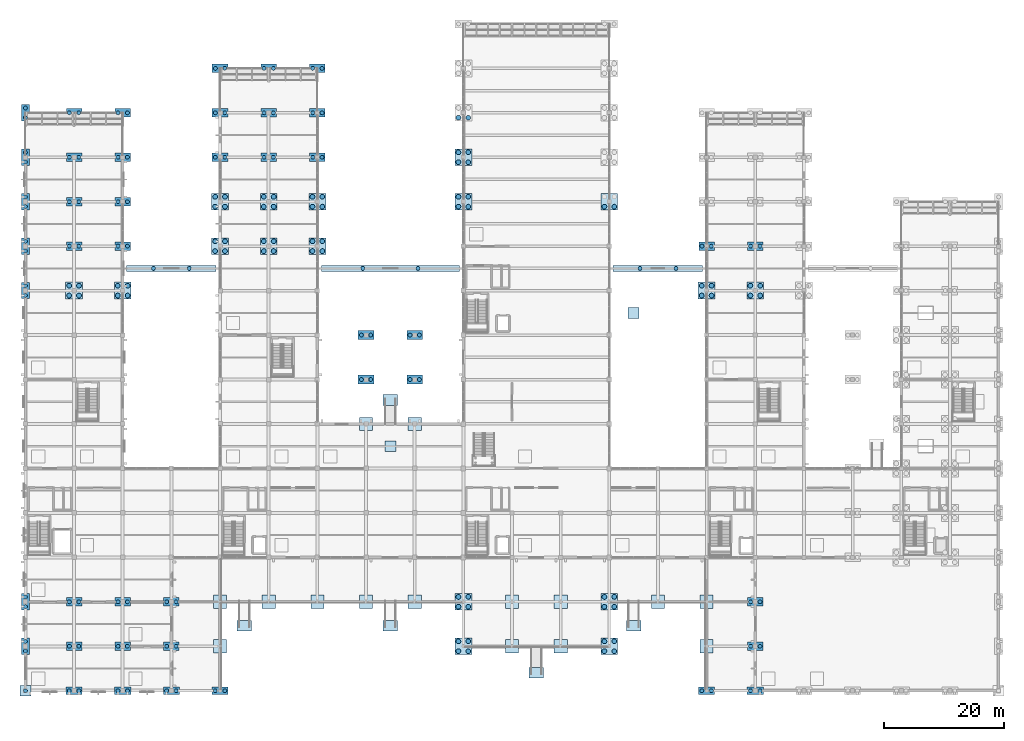
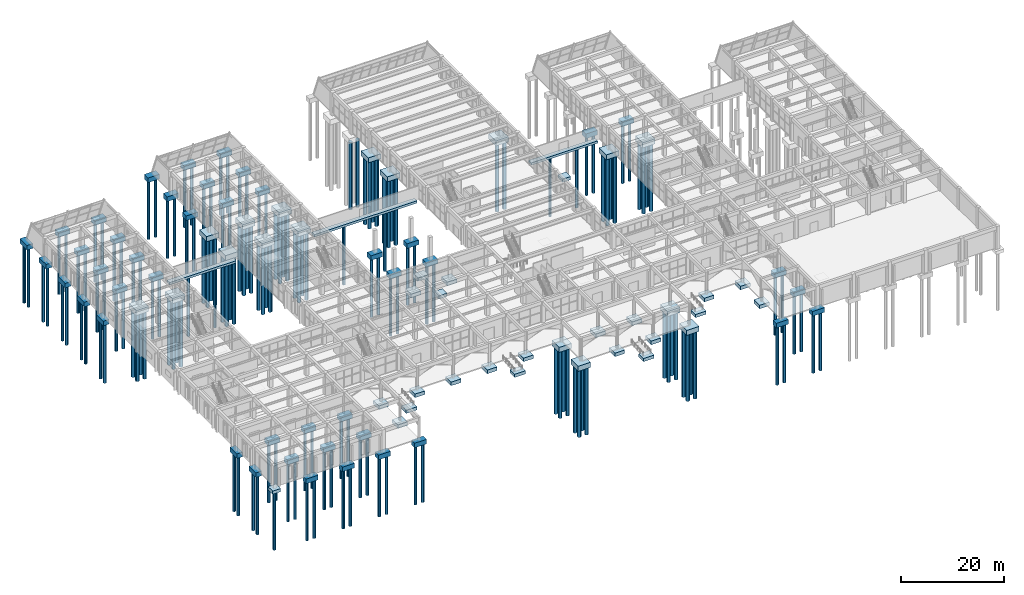
# One storey, part 1 of 140: 163 piles, 87 footings.
"""IFC4 building model written with IfcOpenShell, lengths in metres."""

from ifc_helpers import new_model, si_unit, direction, frame, origin, origin_2d, place, context, subcontext, project, spatial, rectangle, circle, extrude, material, type_object, element, save


model = new_model("IFC4")

# Units and contexts
model_context = context("Model", 3, precision=1e-05, world=origin(), true_north=direction((0.0, 1.0)))
body_context = subcontext(model_context, "Body", "Model", "MODEL_VIEW")
ifc_project = project(units=[si_unit("LENGTHUNIT", "METRE"), si_unit("AREAUNIT", "SQUARE_METRE"), si_unit("VOLUMEUNIT", "CUBIC_METRE"), si_unit("PLANEANGLEUNIT", "RADIAN"), si_unit("MASSUNIT", "GRAM", prefix="KILO")], contexts=[model_context])

# Site, building, storey
site_placement = place(None, origin())
site = spatial("IfcSite", under=ifc_project, at=site_placement, CompositionType="ELEMENT")
building_placement = place(site_placement, origin())
building = spatial("IfcBuilding", under=site, at=building_placement, Name="Cimatlan Art Gallery", CompositionType="ELEMENT")
storey_placement = place(building_placement, origin())
storey = spatial("IfcBuildingStorey", under=building, at=storey_placement, Name="L00", CompositionType="ELEMENT", Elevation=0.0)

# Footings
ifc_material = material(Name="Concrete C40/50", Category="concrete")
footing_type_1 = type_object("IfcFootingType", Name="FTG-PAD-1800", PredefinedType="PAD_FOOTING", material=ifc_material)
for number, where, z_axis, x_axis, name in (
    (1, (2.0, 1.699951171875, -1.030029296875), (0.0, 0.0, 1.0), (1.0, 0.0, 0.0), "FTG-CAP-00-00"),
    (2, (62.75, 42.39990234375, -0.75), (0.0, 0.0, 1.0), (1.0, 0.0, 0.0), "FTG-SCULPT-PAD-01"),
    (3, (103.25, 64.60009765625, -0.75), (0.0, 0.0, 1.0), (1.0, 0.0, 0.0), "FTG-SCULPT-PAD-02"),
):
    element("IfcFooting", number, at=place(storey_placement, frame(where, z_axis=z_axis, x_axis=x_axis)), inside=storey, type_object=footing_type_1, Name=name, PredefinedType="PAD_FOOTING", context=body_context, shape_type="SweptSolid", body=[
        extrude(rectangle(XDim=1.800048828125, YDim=1.800048828125, at=origin_2d()), origin(), (0.0, 0.0, 1.0), 0.75),
    ])
footing_type_2 = type_object("IfcFootingType", Name="FTG-PAD-2200", PredefinedType="PAD_FOOTING", material=ifc_material)
for number, where, z_axis, x_axis, name in (
    (4, (34.39990234375, 9.10009765625, -1.130126953125), (0.0, 0.0, 1.0), (1.0, 0.0, 0.0), "FTG-CAP-04-01"),
    (5, (34.39990234375, 16.5, -1.130126953125), (0.0, 0.0, 1.0), (1.0, 0.0, 0.0), "FTG-CAP-04-02"),
    (6, (42.5, 16.5, -1.130126953125), (0.0, 0.0, 1.0), (1.0, 0.0, 0.0), "FTG-CAP-05-02"),
    (7, (50.60009765625, 16.5, -1.130126953125), (0.0, 0.0, 1.0), (1.0, 0.0, 0.0), "FTG-CAP-06-02"),
    (8, (58.699951171875, 16.5, -1.130126953125), (0.0, 0.0, 1.0), (1.0, 0.0, 0.0), "FTG-CAP-07-02"),
    (9, (58.699951171875, 46.10009765625, -1.130126953125), (0.0, 0.0, 1.0), (1.0, 0.0, 0.0), "FTG-CAP-07-06"),
    (10, (66.800048828125, 16.5, -1.130126953125), (0.0, 0.0, 1.0), (1.0, 0.0, 0.0), "FTG-CAP-08-02"),
    (11, (66.800048828125, 46.10009765625, -1.130126953125), (0.0, 0.0, 1.0), (1.0, 0.0, 0.0), "FTG-CAP-08-06"),
    (12, (83.0, 9.10009765625, -1.130126953125), (0.0, 0.0, 1.0), (1.0, 0.0, 0.0), "FTG-CAP-10-01"),
    (13, (83.0, 16.5, -1.130126953125), (0.0, 0.0, 1.0), (1.0, 0.0, 0.0), "FTG-CAP-10-02"),
    (14, (91.10009765625, 9.10009765625, -1.130126953125), (0.0, 0.0, 1.0), (1.0, 0.0, 0.0), "FTG-CAP-11-01"),
    (15, (91.10009765625, 16.5, -1.130126953125), (0.0, 0.0, 1.0), (1.0, 0.0, 0.0), "FTG-CAP-11-02"),
    (16, (107.300048828125, 16.5, -1.130126953125), (0.0, 0.0, 1.0), (1.0, 0.0, 0.0), "FTG-CAP-13-02"),
    (17, (115.39990234375, 9.10009765625, -1.130126953125), (0.0, 0.0, 1.0), (1.0, 0.0, 0.0), "FTG-CAP-14-01"),
    (18, (115.39990234375, 16.5, -1.130126953125), (0.0, 0.0, 1.0), (1.0, 0.0, 0.0), "FTG-CAP-14-02"),
):
    element("IfcFooting", number, at=place(storey_placement, frame(where, z_axis=z_axis, x_axis=x_axis)), inside=storey, type_object=footing_type_2, Name=name, PredefinedType="PAD_FOOTING", context=body_context, shape_type="SweptSolid", body=[
        extrude(rectangle(XDim=2.199951171875, YDim=2.199951171875, at=origin_2d()), origin(), (0.0, 0.0, 1.0), 0.85009765625),
    ])
footing_type_3 = type_object("IfcFootingType", Name="FTG-PAD-2400X1800", PredefinedType="PAD_FOOTING", material=ifc_material)
for number, where, z_axis, x_axis, name in (
    (19, (38.449951171875, 12.52001953125, -1.110107421875), (0.0, 0.0, 1.0), (1.0, 0.0, 0.0), "FTG-RMP-01-BOT"),
    (20, (62.75, 12.52001953125, -1.110107421875), (0.0, 0.0, 1.0), (1.0, 0.0, 0.0), "FTG-RMP-02-BOT"),
    (21, (87.050048828125, 4.679931640625, -1.110107421875), (0.0, 0.0, 1.0), (1.0, 0.0, 0.0), "FTG-RMP-03-BOT"),
    (22, (103.25, 12.52001953125, -1.110107421875), (0.0, 0.0, 1.0), (1.0, 0.0, 0.0), "FTG-RMP-04-BOT"),
    (23, (62.75, 50.080078125, -1.110107421875), (0.0, 0.0, 1.0), (1.0, 0.0, 0.0), "FTG-RMP-05-BOT"),
):
    element("IfcFooting", number, at=place(storey_placement, frame(where, z_axis=z_axis, x_axis=x_axis)), inside=storey, type_object=footing_type_3, Name=name, PredefinedType="PAD_FOOTING", context=body_context, shape_type="SweptSolid", body=[
        extrude(rectangle(XDim=2.39990234375, YDim=1.800048828125, at=origin_2d()), origin(), (0.0, 0.0, 1.0), 0.75),
    ])
footing_type_4 = type_object("IfcFootingType", Name="FTG-PC2-2600X1450", PredefinedType="PILE_CAP", material=ifc_material)
for number, where, z_axis, x_axis, name in (
    (24, (10.10009765625, 9.10009765625, -1.380126953125), (0.0, 0.0, 1.0), (1.0, 0.0, 0.0), "FTG-CAP-01-01"),
    (25, (10.10009765625, 16.5, -1.380126953125), (0.0, 0.0, 1.0), (1.0, 0.0, 0.0), "FTG-CAP-01-02"),
    (26, (10.10009765625, 75.699951171875, -1.380126953125), (0.0, 0.0, 1.0), (1.0, 0.0, 0.0), "FTG-CAP-01-10"),
    (27, (10.10009765625, 83.10009765625, -1.380126953125), (0.0, 0.0, 1.0), (1.0, 0.0, 0.0), "FTG-CAP-01-11"),
    (28, (10.10009765625, 90.5, -1.380126953125), (0.0, 0.0, 1.0), (1.0, 0.0, 0.0), "FTG-CAP-01-12"),
    (29, (10.10009765625, 97.89990234375, -1.380126953125), (0.0, 0.0, 1.0), (1.0, 0.0, 0.0), "FTG-CAP-01-13"),
    (30, (18.199951171875, 9.10009765625, -1.380126953125), (0.0, 0.0, 1.0), (1.0, 0.0, 0.0), "FTG-CAP-02-01"),
    (31, (18.199951171875, 16.5, -1.380126953125), (0.0, 0.0, 1.0), (1.0, 0.0, 0.0), "FTG-CAP-02-02"),
    (32, (18.199951171875, 75.699951171875, -1.380126953125), (0.0, 0.0, 1.0), (1.0, 0.0, 0.0), "FTG-CAP-02-10"),
    (33, (18.199951171875, 83.10009765625, -1.380126953125), (0.0, 0.0, 1.0), (1.0, 0.0, 0.0), "FTG-CAP-02-11"),
    (34, (18.199951171875, 90.5, -1.380126953125), (0.0, 0.0, 1.0), (1.0, 0.0, 0.0), "FTG-CAP-02-12"),
    (35, (18.199951171875, 97.89990234375, -1.380126953125), (0.0, 0.0, 1.0), (1.0, 0.0, 0.0), "FTG-CAP-02-13"),
    (36, (26.300048828125, 9.10009765625, -1.380126953125), (0.0, 0.0, 1.0), (1.0, 0.0, 0.0), "FTG-CAP-03-01"),
    (37, (26.300048828125, 16.5, -1.380126953125), (0.0, 0.0, 1.0), (1.0, 0.0, 0.0), "FTG-CAP-03-02"),
    (38, (34.39990234375, 90.5, -1.380126953125), (0.0, 0.0, 1.0), (1.0, 0.0, 0.0), "FTG-CAP-04-12"),
    (39, (34.39990234375, 97.89990234375, -1.380126953125), (0.0, 0.0, 1.0), (1.0, 0.0, 0.0), "FTG-CAP-04-13"),
    (40, (34.39990234375, 105.300048828125, -1.380126953125), (0.0, 0.0, 1.0), (1.0, 0.0, 0.0), "FTG-CAP-04-14"),
    (41, (42.5, 90.5, -1.380126953125), (0.0, 0.0, 1.0), (1.0, 0.0, 0.0), "FTG-CAP-05-12"),
    (42, (42.5, 97.89990234375, -1.380126953125), (0.0, 0.0, 1.0), (1.0, 0.0, 0.0), "FTG-CAP-05-13"),
    (43, (42.5, 105.300048828125, -1.380126953125), (0.0, 0.0, 1.0), (1.0, 0.0, 0.0), "FTG-CAP-05-14"),
    (44, (50.60009765625, 90.5, -1.380126953125), (0.0, 0.0, 1.0), (1.0, 0.0, 0.0), "FTG-CAP-06-12"),
    (45, (50.60009765625, 97.89990234375, -1.380126953125), (0.0, 0.0, 1.0), (1.0, 0.0, 0.0), "FTG-CAP-06-13"),
    (46, (50.60009765625, 105.300048828125, -1.380126953125), (0.0, 0.0, 1.0), (1.0, 0.0, 0.0), "FTG-CAP-06-14"),
    (47, (58.699951171875, 53.5, -1.380126953125), (0.0, 0.0, 1.0), (1.0, 0.0, 0.0), "FTG-CAP-07-07"),
    (48, (58.699951171875, 60.89990234375, -1.380126953125), (0.0, 0.0, 1.0), (1.0, 0.0, 0.0), "FTG-CAP-07-08"),
    (49, (66.800048828125, 53.5, -1.380126953125), (0.0, 0.0, 1.0), (1.0, 0.0, 0.0), "FTG-CAP-08-07"),
    (50, (66.800048828125, 60.89990234375, -1.380126953125), (0.0, 0.0, 1.0), (1.0, 0.0, 0.0), "FTG-CAP-08-08"),
    (51, (115.39990234375, 75.699951171875, -1.380126953125), (0.0, 0.0, 1.0), (1.0, 0.0, 0.0), "FTG-CAP-14-10"),
    (52, (123.5, 9.10009765625, -1.380126953125), (0.0, 0.0, 1.0), (1.0, 0.0, 0.0), "FTG-CAP-15-01"),
    (53, (123.5, 16.5, -1.380126953125), (0.0, 0.0, 1.0), (1.0, 0.0, 0.0), "FTG-CAP-15-02"),
    (54, (123.5, 75.699951171875, -1.380126953125), (0.0, 0.0, 1.0), (1.0, 0.0, 0.0), "FTG-CAP-15-10"),
):
    element("IfcFooting", number, at=place(storey_placement, frame(where, z_axis=z_axis, x_axis=x_axis)), inside=storey, type_object=footing_type_4, Name=name, PredefinedType="PILE_CAP", context=body_context, shape_type="SweptSolid", body=[
        extrude(rectangle(XDim=2.60009765625, YDim=1.449951171875, at=origin_2d()), origin(), (0.0, 0.0, 1.0), 1.10009765625),
    ])
footing_type_5 = type_object("IfcFootingType", Name="FTG-PC2E-2700X1300", PredefinedType="PILE_CAP", material=ifc_material)
for number, where, z_axis, x_axis, name in (
    (55, (10.10009765625, 1.699951171875, -1.380126953125), (0.0, 0.0, 1.0), (1.0, 0.0, 0.0), "FTG-CAP-01-00"),
    (56, (18.199951171875, 1.699951171875, -1.380126953125), (0.0, 0.0, 1.0), (1.0, 0.0, 0.0), "FTG-CAP-02-00"),
    (57, (26.300048828125, 1.699951171875, -1.380126953125), (0.0, 0.0, 1.0), (1.0, 0.0, 0.0), "FTG-CAP-03-00"),
    (58, (34.39990234375, 1.699951171875, -1.380126953125), (0.0, 0.0, 1.0), (1.0, 0.0, 0.0), "FTG-CAP-04-00"),
    (59, (115.39990234375, 1.699951171875, -1.380126953125), (0.0, 0.0, 1.0), (1.0, 0.0, 0.0), "FTG-CAP-14-00"),
    (60, (123.5, 1.699951171875, -1.380126953125), (0.0, 0.0, 1.0), (1.0, 0.0, 0.0), "FTG-CAP-15-00"),
):
    element("IfcFooting", number, at=place(storey_placement, frame(where, z_axis=z_axis, x_axis=x_axis)), inside=storey, type_object=footing_type_5, Name=name, PredefinedType="PILE_CAP", context=body_context, shape_type="SweptSolid", body=[
        extrude(rectangle(XDim=2.699951171875, YDim=1.300048828125, at=origin_2d()), origin(), (0.0, 0.0, 1.0), 1.10009765625),
    ])
footing_type_6 = type_object("IfcFootingType", Name="FTG-PC2N-1300X2700", PredefinedType="PILE_CAP", material=ifc_material)
for number, where, z_axis, x_axis, name in (
    (61, (2.0, 9.10009765625, -1.380126953125), (0.0, 0.0, 1.0), (1.0, 0.0, 0.0), "FTG-CAP-00-01"),
    (62, (2.0, 16.5, -1.380126953125), (0.0, 0.0, 1.0), (1.0, 0.0, 0.0), "FTG-CAP-00-02"),
    (63, (2.0, 68.300048828125, -1.380126953125), (0.0, 0.0, 1.0), (1.0, 0.0, 0.0), "FTG-CAP-00-09"),
    (64, (2.0, 75.699951171875, -1.380126953125), (0.0, 0.0, 1.0), (1.0, 0.0, 0.0), "FTG-CAP-00-10"),
    (65, (2.0, 83.10009765625, -1.380126953125), (0.0, 0.0, 1.0), (1.0, 0.0, 0.0), "FTG-CAP-00-11"),
    (66, (2.0, 90.5, -1.380126953125), (0.0, 0.0, 1.0), (1.0, 0.0, 0.0), "FTG-CAP-00-12"),
    (67, (2.0, 97.89990234375, -1.380126953125), (0.0, 0.0, 1.0), (1.0, 0.0, 0.0), "FTG-CAP-00-13"),
):
    element("IfcFooting", number, at=place(storey_placement, frame(where, z_axis=z_axis, x_axis=x_axis)), inside=storey, type_object=footing_type_6, Name=name, PredefinedType="PILE_CAP", context=body_context, shape_type="SweptSolid", body=[
        extrude(rectangle(XDim=1.300048828125, YDim=2.699951171875, at=origin_2d()), origin(), (0.0, 0.0, 1.0), 1.10009765625),
    ])
footing_type_7 = type_object("IfcFootingType", Name="FTG-PC4-2800", PredefinedType="PILE_CAP", material=ifc_material)
for number, where, z_axis, x_axis, name in (
    (68, (10.10009765625, 68.300048828125, -1.47998046875), (0.0, 0.0, 1.0), (1.0, 0.0, 0.0), "FTG-CAP-01-09"),
    (69, (18.199951171875, 68.300048828125, -1.47998046875), (0.0, 0.0, 1.0), (1.0, 0.0, 0.0), "FTG-CAP-02-09"),
    (70, (34.39990234375, 75.699951171875, -1.47998046875), (0.0, 0.0, 1.0), (1.0, 0.0, 0.0), "FTG-CAP-04-10"),
    (71, (34.39990234375, 83.10009765625, -1.47998046875), (0.0, 0.0, 1.0), (1.0, 0.0, 0.0), "FTG-CAP-04-11"),
    (72, (42.5, 75.699951171875, -1.47998046875), (0.0, 0.0, 1.0), (1.0, 0.0, 0.0), "FTG-CAP-05-10"),
    (73, (42.5, 83.10009765625, -1.47998046875), (0.0, 0.0, 1.0), (1.0, 0.0, 0.0), "FTG-CAP-05-11"),
    (74, (50.60009765625, 75.699951171875, -1.47998046875), (0.0, 0.0, 1.0), (1.0, 0.0, 0.0), "FTG-CAP-06-10"),
    (75, (50.60009765625, 83.10009765625, -1.47998046875), (0.0, 0.0, 1.0), (1.0, 0.0, 0.0), "FTG-CAP-06-11"),
    (76, (74.89990234375, 9.10009765625, -1.47998046875), (0.0, 0.0, 1.0), (1.0, 0.0, 0.0), "FTG-CAP-09-01"),
    (77, (74.89990234375, 16.5, -1.47998046875), (0.0, 0.0, 1.0), (1.0, 0.0, 0.0), "FTG-CAP-09-02"),
    (78, (74.89990234375, 83.10009765625, -1.47998046875), (0.0, 0.0, 1.0), (1.0, 0.0, 0.0), "FTG-CAP-09-11"),
    (79, (74.89990234375, 90.5, -1.47998046875), (0.0, 0.0, 1.0), (1.0, 0.0, 0.0), "FTG-CAP-09-12"),
    (80, (99.199951171875, 9.10009765625, -1.47998046875), (0.0, 0.0, 1.0), (1.0, 0.0, 0.0), "FTG-CAP-12-01"),
    (81, (99.199951171875, 16.5, -1.47998046875), (0.0, 0.0, 1.0), (1.0, 0.0, 0.0), "FTG-CAP-12-02"),
    (82, (99.199951171875, 83.10009765625, -1.47998046875), (0.0, 0.0, 1.0), (1.0, 0.0, 0.0), "FTG-CAP-12-11"),
    (83, (115.39990234375, 68.300048828125, -1.47998046875), (0.0, 0.0, 1.0), (1.0, 0.0, 0.0), "FTG-CAP-14-09"),
    (84, (123.5, 68.300048828125, -1.47998046875), (0.0, 0.0, 1.0), (1.0, 0.0, 0.0), "FTG-CAP-15-09"),
):
    element("IfcFooting", number, at=place(storey_placement, frame(where, z_axis=z_axis, x_axis=x_axis)), inside=storey, type_object=footing_type_7, Name=name, PredefinedType="PILE_CAP", context=body_context, shape_type="SweptSolid", body=[
        extrude(rectangle(XDim=2.800048828125, YDim=2.800048828125, at=origin_2d()), origin(), (0.0, 0.0, 1.0), 1.199951171875),
    ])
footing_type_8 = type_object("IfcFootingType", Name="FTG-SF-1000X550", PredefinedType="STRIP_FOOTING", material=ifc_material)
footing_1_placement = place(storey_placement, frame((26.300048828125, 72.0, -0.5498046875), z_axis=(0.0, 0.0, 1.0), x_axis=(1.0, 0.0, 0.0)))
element("IfcFooting", 85, at=footing_1_placement, inside=storey, type_object=footing_type_8, Name="FTG-CGS-1", PredefinedType="STRIP_FOOTING", context=body_context, shape_type="SweptSolid", body=[
    extrude(rectangle(XDim=14.89990234375, YDim=1.0, at=origin_2d()), origin(), (0.0, 0.0, 1.0), 0.550048828125),
])
footing_2_placement = place(storey_placement, frame((62.75, 72.0, -0.5498046875), z_axis=(0.0, 0.0, 1.0), x_axis=(1.0, 0.0, 0.0)))
element("IfcFooting", 86, at=footing_2_placement, inside=storey, type_object=footing_type_8, Name="FTG-CGS-2", PredefinedType="STRIP_FOOTING", context=body_context, shape_type="SweptSolid", body=[
    extrude(rectangle(XDim=23.0, YDim=1.0, at=origin_2d()), origin(), (0.0, 0.0, 1.0), 0.550048828125),
])
footing_3_placement = place(storey_placement, frame((107.300048828125, 72.0, -0.5498046875), z_axis=(0.0, 0.0, 1.0), x_axis=(1.0, 0.0, 0.0)))
element("IfcFooting", 87, at=footing_3_placement, inside=storey, type_object=footing_type_8, Name="FTG-CGS-3", PredefinedType="STRIP_FOOTING", context=body_context, shape_type="SweptSolid", body=[
    extrude(rectangle(XDim=14.89990234375, YDim=1.0, at=origin_2d()), origin(), (0.0, 0.0, 1.0), 0.550048828125),
])

# Piles
pile_type_1 = type_object("IfcPileType", Name="PIL-D650", PredefinedType="BORED", material=ifc_material)
for number, where, z_axis, x_axis, name in (
    (88, (2.0, 1.699951171875, -0.929931640625), (0.0, 0.0, -1.0), (1.0, 0.0, 0.0), "PIL-00-00-1"),
    (89, (2.0, 8.300048828125, -1.280029296875), (0.0, 0.0, -1.0), (1.0, 0.0, 0.0), "PIL-00-01-1"),
    (90, (2.0, 9.89990234375, -1.280029296875), (0.0, 0.0, -1.0), (1.0, 0.0, 0.0), "PIL-00-01-2"),
    (91, (2.0, 15.699951171875, -1.280029296875), (0.0, 0.0, -1.0), (1.0, 0.0, 0.0), "PIL-00-02-1"),
    (92, (2.0, 17.300048828125, -1.280029296875), (0.0, 0.0, -1.0), (1.0, 0.0, 0.0), "PIL-00-02-2"),
    (93, (2.0, 67.5, -1.280029296875), (0.0, 0.0, -1.0), (1.0, 0.0, 0.0), "PIL-00-09-1"),
    (94, (2.0, 69.10009765625, -1.280029296875), (0.0, 0.0, -1.0), (1.0, 0.0, 0.0), "PIL-00-09-2"),
    (95, (2.0, 74.89990234375, -1.280029296875), (0.0, 0.0, -1.0), (1.0, 0.0, 0.0), "PIL-00-10-1"),
    (96, (2.0, 76.5, -1.280029296875), (0.0, 0.0, -1.0), (1.0, 0.0, 0.0), "PIL-00-10-2"),
    (97, (2.0, 82.300048828125, -1.280029296875), (0.0, 0.0, -1.0), (1.0, 0.0, 0.0), "PIL-00-11-1"),
    (98, (2.0, 83.89990234375, -1.280029296875), (0.0, 0.0, -1.0), (1.0, 0.0, 0.0), "PIL-00-11-2"),
    (99, (2.0, 89.699951171875, -1.280029296875), (0.0, 0.0, -1.0), (1.0, 0.0, 0.0), "PIL-00-12-1"),
    (100, (2.0, 91.300048828125, -1.280029296875), (0.0, 0.0, -1.0), (1.0, 0.0, 0.0), "PIL-00-12-2"),
    (101, (2.0, 97.10009765625, -1.280029296875), (0.0, 0.0, -1.0), (1.0, 0.0, 0.0), "PIL-00-13-1"),
    (102, (2.0, 98.699951171875, -1.280029296875), (0.0, 0.0, -1.0), (1.0, 0.0, 0.0), "PIL-00-13-2"),
    (103, (9.300048828125, 1.699951171875, -1.280029296875), (0.0, 0.0, -1.0), (1.0, 0.0, 0.0), "PIL-01-00-1"),
    (104, (10.89990234375, 1.699951171875, -1.280029296875), (0.0, 0.0, -1.0), (1.0, 0.0, 0.0), "PIL-01-00-2"),
    (105, (9.320068359375, 9.10009765625, -1.280029296875), (0.0, 0.0, -1.0), (1.0, 0.0, 0.0), "PIL-01-01-1"),
    (106, (10.8798828125, 9.10009765625, -1.280029296875), (0.0, 0.0, -1.0), (1.0, 0.0, 0.0), "PIL-01-01-2"),
    (107, (9.320068359375, 16.5, -1.280029296875), (0.0, 0.0, -1.0), (1.0, 0.0, 0.0), "PIL-01-02-1"),
    (108, (10.8798828125, 16.5, -1.280029296875), (0.0, 0.0, -1.0), (1.0, 0.0, 0.0), "PIL-01-02-2"),
    (109, (9.320068359375, 75.699951171875, -1.280029296875), (0.0, 0.0, -1.0), (1.0, 0.0, 0.0), "PIL-01-10-1"),
    (110, (10.8798828125, 75.699951171875, -1.280029296875), (0.0, 0.0, -1.0), (1.0, 0.0, 0.0), "PIL-01-10-2"),
    (111, (9.320068359375, 83.10009765625, -1.280029296875), (0.0, 0.0, -1.0), (1.0, 0.0, 0.0), "PIL-01-11-1"),
    (112, (10.8798828125, 83.10009765625, -1.280029296875), (0.0, 0.0, -1.0), (1.0, 0.0, 0.0), "PIL-01-11-2"),
    (113, (9.320068359375, 90.5, -1.280029296875), (0.0, 0.0, -1.0), (1.0, 0.0, 0.0), "PIL-01-12-1"),
    (114, (10.8798828125, 90.5, -1.280029296875), (0.0, 0.0, -1.0), (1.0, 0.0, 0.0), "PIL-01-12-2"),
    (115, (9.320068359375, 97.89990234375, -1.280029296875), (0.0, 0.0, -1.0), (1.0, 0.0, 0.0), "PIL-01-13-1"),
    (116, (10.8798828125, 97.89990234375, -1.280029296875), (0.0, 0.0, -1.0), (1.0, 0.0, 0.0), "PIL-01-13-2"),
    (117, (17.39990234375, 1.699951171875, -1.280029296875), (0.0, 0.0, -1.0), (1.0, 0.0, 0.0), "PIL-02-00-1"),
    (118, (19.0, 1.699951171875, -1.280029296875), (0.0, 0.0, -1.0), (1.0, 0.0, 0.0), "PIL-02-00-2"),
    (119, (17.419921875, 9.10009765625, -1.280029296875), (0.0, 0.0, -1.0), (1.0, 0.0, 0.0), "PIL-02-01-1"),
    (120, (18.97998046875, 9.10009765625, -1.280029296875), (0.0, 0.0, -1.0), (1.0, 0.0, 0.0), "PIL-02-01-2"),
    (121, (17.419921875, 16.5, -1.280029296875), (0.0, 0.0, -1.0), (1.0, 0.0, 0.0), "PIL-02-02-1"),
    (122, (18.97998046875, 16.5, -1.280029296875), (0.0, 0.0, -1.0), (1.0, 0.0, 0.0), "PIL-02-02-2"),
    (123, (17.419921875, 75.699951171875, -1.280029296875), (0.0, 0.0, -1.0), (1.0, 0.0, 0.0), "PIL-02-10-1"),
    (124, (18.97998046875, 75.699951171875, -1.280029296875), (0.0, 0.0, -1.0), (1.0, 0.0, 0.0), "PIL-02-10-2"),
    (125, (17.419921875, 83.10009765625, -1.280029296875), (0.0, 0.0, -1.0), (1.0, 0.0, 0.0), "PIL-02-11-1"),
    (126, (18.97998046875, 83.10009765625, -1.280029296875), (0.0, 0.0, -1.0), (1.0, 0.0, 0.0), "PIL-02-11-2"),
    (127, (17.419921875, 90.5, -1.280029296875), (0.0, 0.0, -1.0), (1.0, 0.0, 0.0), "PIL-02-12-1"),
    (128, (18.97998046875, 90.5, -1.280029296875), (0.0, 0.0, -1.0), (1.0, 0.0, 0.0), "PIL-02-12-2"),
    (129, (17.419921875, 97.89990234375, -1.280029296875), (0.0, 0.0, -1.0), (1.0, 0.0, 0.0), "PIL-02-13-1"),
    (130, (18.97998046875, 97.89990234375, -1.280029296875), (0.0, 0.0, -1.0), (1.0, 0.0, 0.0), "PIL-02-13-2"),
    (131, (25.5, 1.699951171875, -1.280029296875), (0.0, 0.0, -1.0), (1.0, 0.0, 0.0), "PIL-03-00-1"),
    (132, (27.10009765625, 1.699951171875, -1.280029296875), (0.0, 0.0, -1.0), (1.0, 0.0, 0.0), "PIL-03-00-2"),
    (133, (25.52001953125, 9.10009765625, -1.280029296875), (0.0, 0.0, -1.0), (1.0, 0.0, 0.0), "PIL-03-01-1"),
    (134, (27.080078125, 9.10009765625, -1.280029296875), (0.0, 0.0, -1.0), (1.0, 0.0, 0.0), "PIL-03-01-2"),
    (135, (25.52001953125, 16.5, -1.280029296875), (0.0, 0.0, -1.0), (1.0, 0.0, 0.0), "PIL-03-02-1"),
    (136, (27.080078125, 16.5, -1.280029296875), (0.0, 0.0, -1.0), (1.0, 0.0, 0.0), "PIL-03-02-2"),
    (137, (33.60009765625, 1.699951171875, -1.280029296875), (0.0, 0.0, -1.0), (1.0, 0.0, 0.0), "PIL-04-00-1"),
    (138, (35.199951171875, 1.699951171875, -1.280029296875), (0.0, 0.0, -1.0), (1.0, 0.0, 0.0), "PIL-04-00-2"),
    (139, (33.6201171875, 90.5, -1.280029296875), (0.0, 0.0, -1.0), (1.0, 0.0, 0.0), "PIL-04-12-1"),
    (140, (35.179931640625, 90.5, -1.280029296875), (0.0, 0.0, -1.0), (1.0, 0.0, 0.0), "PIL-04-12-2"),
    (141, (33.6201171875, 97.89990234375, -1.280029296875), (0.0, 0.0, -1.0), (1.0, 0.0, 0.0), "PIL-04-13-1"),
    (142, (35.179931640625, 97.89990234375, -1.280029296875), (0.0, 0.0, -1.0), (1.0, 0.0, 0.0), "PIL-04-13-2"),
    (143, (33.6201171875, 105.300048828125, -1.280029296875), (0.0, 0.0, -1.0), (1.0, 0.0, 0.0), "PIL-04-14-1"),
    (144, (35.179931640625, 105.300048828125, -1.280029296875), (0.0, 0.0, -1.0), (1.0, 0.0, 0.0), "PIL-04-14-2"),
    (145, (41.719970703125, 90.5, -1.280029296875), (0.0, 0.0, -1.0), (1.0, 0.0, 0.0), "PIL-05-12-1"),
    (146, (43.280029296875, 90.5, -1.280029296875), (0.0, 0.0, -1.0), (1.0, 0.0, 0.0), "PIL-05-12-2"),
    (147, (41.719970703125, 97.89990234375, -1.280029296875), (0.0, 0.0, -1.0), (1.0, 0.0, 0.0), "PIL-05-13-1"),
    (148, (43.280029296875, 97.89990234375, -1.280029296875), (0.0, 0.0, -1.0), (1.0, 0.0, 0.0), "PIL-05-13-2"),
    (149, (41.719970703125, 105.300048828125, -1.280029296875), (0.0, 0.0, -1.0), (1.0, 0.0, 0.0), "PIL-05-14-1"),
    (150, (43.280029296875, 105.300048828125, -1.280029296875), (0.0, 0.0, -1.0), (1.0, 0.0, 0.0), "PIL-05-14-2"),
    (151, (49.820068359375, 90.5, -1.280029296875), (0.0, 0.0, -1.0), (1.0, 0.0, 0.0), "PIL-06-12-1"),
    (152, (51.3798828125, 90.5, -1.280029296875), (0.0, 0.0, -1.0), (1.0, 0.0, 0.0), "PIL-06-12-2"),
    (153, (49.820068359375, 97.89990234375, -1.280029296875), (0.0, 0.0, -1.0), (1.0, 0.0, 0.0), "PIL-06-13-1"),
    (154, (51.3798828125, 97.89990234375, -1.280029296875), (0.0, 0.0, -1.0), (1.0, 0.0, 0.0), "PIL-06-13-2"),
    (155, (49.820068359375, 105.300048828125, -1.280029296875), (0.0, 0.0, -1.0), (1.0, 0.0, 0.0), "PIL-06-14-1"),
    (156, (51.3798828125, 105.300048828125, -1.280029296875), (0.0, 0.0, -1.0), (1.0, 0.0, 0.0), "PIL-06-14-2"),
    (157, (57.919921875, 53.5, -1.280029296875), (0.0, 0.0, -1.0), (1.0, 0.0, 0.0), "PIL-07-07-1"),
    (158, (59.47998046875, 53.5, -1.280029296875), (0.0, 0.0, -1.0), (1.0, 0.0, 0.0), "PIL-07-07-2"),
    (159, (57.919921875, 60.89990234375, -1.280029296875), (0.0, 0.0, -1.0), (1.0, 0.0, 0.0), "PIL-07-08-1"),
    (160, (59.47998046875, 60.89990234375, -1.280029296875), (0.0, 0.0, -1.0), (1.0, 0.0, 0.0), "PIL-07-08-2"),
    (161, (66.02001953125, 53.5, -1.280029296875), (0.0, 0.0, -1.0), (1.0, 0.0, 0.0), "PIL-08-07-1"),
    (162, (67.580078125, 53.5, -1.280029296875), (0.0, 0.0, -1.0), (1.0, 0.0, 0.0), "PIL-08-07-2"),
    (163, (66.02001953125, 60.89990234375, -1.280029296875), (0.0, 0.0, -1.0), (1.0, 0.0, 0.0), "PIL-08-08-1"),
    (164, (67.580078125, 60.89990234375, -1.280029296875), (0.0, 0.0, -1.0), (1.0, 0.0, 0.0), "PIL-08-08-2"),
    (165, (114.60009765625, 1.699951171875, -1.280029296875), (0.0, 0.0, -1.0), (1.0, 0.0, 0.0), "PIL-14-00-1"),
    (166, (116.199951171875, 1.699951171875, -1.280029296875), (0.0, 0.0, -1.0), (1.0, 0.0, 0.0), "PIL-14-00-2"),
    (167, (114.6201171875, 75.699951171875, -1.280029296875), (0.0, 0.0, -1.0), (1.0, 0.0, 0.0), "PIL-14-10-1"),
    (168, (116.179931640625, 75.699951171875, -1.280029296875), (0.0, 0.0, -1.0), (1.0, 0.0, 0.0), "PIL-14-10-2"),
    (169, (122.699951171875, 1.699951171875, -1.280029296875), (0.0, 0.0, -1.0), (1.0, 0.0, 0.0), "PIL-15-00-1"),
    (170, (124.300048828125, 1.699951171875, -1.280029296875), (0.0, 0.0, -1.0), (1.0, 0.0, 0.0), "PIL-15-00-2"),
    (171, (122.719970703125, 9.10009765625, -1.280029296875), (0.0, 0.0, -1.0), (1.0, 0.0, 0.0), "PIL-15-01-1"),
    (172, (124.280029296875, 9.10009765625, -1.280029296875), (0.0, 0.0, -1.0), (1.0, 0.0, 0.0), "PIL-15-01-2"),
    (173, (122.719970703125, 16.5, -1.280029296875), (0.0, 0.0, -1.0), (1.0, 0.0, 0.0), "PIL-15-02-1"),
    (174, (124.280029296875, 16.5, -1.280029296875), (0.0, 0.0, -1.0), (1.0, 0.0, 0.0), "PIL-15-02-2"),
    (175, (122.719970703125, 75.699951171875, -1.280029296875), (0.0, 0.0, -1.0), (1.0, 0.0, 0.0), "PIL-15-10-1"),
    (176, (124.280029296875, 75.699951171875, -1.280029296875), (0.0, 0.0, -1.0), (1.0, 0.0, 0.0), "PIL-15-10-2"),
    (177, (23.320068359375, 72.0, -0.449951171875), (0.0, 0.0, -1.0), (1.0, 0.0, 0.0), "PIL-CGS-1-1"),
    (178, (29.280029296875, 72.0, -0.449951171875), (0.0, 0.0, -1.0), (1.0, 0.0, 0.0), "PIL-CGS-1-2"),
    (179, (58.14990234375, 72.0, -0.449951171875), (0.0, 0.0, -1.0), (1.0, 0.0, 0.0), "PIL-CGS-2-1"),
    (180, (67.35009765625, 72.0, -0.449951171875), (0.0, 0.0, -1.0), (1.0, 0.0, 0.0), "PIL-CGS-2-2"),
    (181, (104.320068359375, 72.0, -0.449951171875), (0.0, 0.0, -1.0), (1.0, 0.0, 0.0), "PIL-CGS-3-1"),
    (182, (110.280029296875, 72.0, -0.449951171875), (0.0, 0.0, -1.0), (1.0, 0.0, 0.0), "PIL-CGS-3-2"),
):
    element("IfcPile", number, at=place(storey_placement, frame(where, z_axis=z_axis, x_axis=x_axis)), inside=storey, type_object=pile_type_1, Name=name, PredefinedType="BORED", context=body_context, shape_type="SweptSolid", body=[
        extrude(circle(Radius=0.324951171875, at=origin_2d()), origin(), (0.0, 0.0, 1.0), 14.0),
    ])
pile_type_2 = type_object("IfcPileType", Name="PIL-D800", PredefinedType="BORED", material=ifc_material)
for number, where, z_axis, x_axis, name in (
    (183, (9.280029296875, 67.47998046875, -1.3798828125), (0.0, 0.0, -1.0), (1.0, 0.0, 0.0), "PIL-01-09-1"),
    (184, (10.919921875, 67.47998046875, -1.3798828125), (0.0, 0.0, -1.0), (1.0, 0.0, 0.0), "PIL-01-09-2"),
    (185, (9.280029296875, 69.1201171875, -1.3798828125), (0.0, 0.0, -1.0), (1.0, 0.0, 0.0), "PIL-01-09-3"),
    (186, (10.919921875, 69.1201171875, -1.3798828125), (0.0, 0.0, -1.0), (1.0, 0.0, 0.0), "PIL-01-09-4"),
    (187, (17.3798828125, 67.47998046875, -1.3798828125), (0.0, 0.0, -1.0), (1.0, 0.0, 0.0), "PIL-02-09-1"),
    (188, (19.02001953125, 67.47998046875, -1.3798828125), (0.0, 0.0, -1.0), (1.0, 0.0, 0.0), "PIL-02-09-2"),
    (189, (17.3798828125, 69.1201171875, -1.3798828125), (0.0, 0.0, -1.0), (1.0, 0.0, 0.0), "PIL-02-09-3"),
    (190, (19.02001953125, 69.1201171875, -1.3798828125), (0.0, 0.0, -1.0), (1.0, 0.0, 0.0), "PIL-02-09-4"),
    (191, (33.580078125, 74.8798828125, -1.3798828125), (0.0, 0.0, -1.0), (1.0, 0.0, 0.0), "PIL-04-10-1"),
    (192, (35.219970703125, 74.8798828125, -1.3798828125), (0.0, 0.0, -1.0), (1.0, 0.0, 0.0), "PIL-04-10-2"),
    (193, (33.580078125, 76.52001953125, -1.3798828125), (0.0, 0.0, -1.0), (1.0, 0.0, 0.0), "PIL-04-10-3"),
    (194, (35.219970703125, 76.52001953125, -1.3798828125), (0.0, 0.0, -1.0), (1.0, 0.0, 0.0), "PIL-04-10-4"),
    (195, (33.580078125, 82.280029296875, -1.3798828125), (0.0, 0.0, -1.0), (1.0, 0.0, 0.0), "PIL-04-11-1"),
    (196, (35.219970703125, 82.280029296875, -1.3798828125), (0.0, 0.0, -1.0), (1.0, 0.0, 0.0), "PIL-04-11-2"),
    (197, (33.580078125, 83.919921875, -1.3798828125), (0.0, 0.0, -1.0), (1.0, 0.0, 0.0), "PIL-04-11-3"),
    (198, (35.219970703125, 83.919921875, -1.3798828125), (0.0, 0.0, -1.0), (1.0, 0.0, 0.0), "PIL-04-11-4"),
    (199, (41.679931640625, 74.8798828125, -1.3798828125), (0.0, 0.0, -1.0), (1.0, 0.0, 0.0), "PIL-05-10-1"),
    (200, (43.320068359375, 74.8798828125, -1.3798828125), (0.0, 0.0, -1.0), (1.0, 0.0, 0.0), "PIL-05-10-2"),
    (201, (41.679931640625, 76.52001953125, -1.3798828125), (0.0, 0.0, -1.0), (1.0, 0.0, 0.0), "PIL-05-10-3"),
    (202, (43.320068359375, 76.52001953125, -1.3798828125), (0.0, 0.0, -1.0), (1.0, 0.0, 0.0), "PIL-05-10-4"),
    (203, (41.679931640625, 82.280029296875, -1.3798828125), (0.0, 0.0, -1.0), (1.0, 0.0, 0.0), "PIL-05-11-1"),
    (204, (43.320068359375, 82.280029296875, -1.3798828125), (0.0, 0.0, -1.0), (1.0, 0.0, 0.0), "PIL-05-11-2"),
    (205, (41.679931640625, 83.919921875, -1.3798828125), (0.0, 0.0, -1.0), (1.0, 0.0, 0.0), "PIL-05-11-3"),
    (206, (43.320068359375, 83.919921875, -1.3798828125), (0.0, 0.0, -1.0), (1.0, 0.0, 0.0), "PIL-05-11-4"),
    (207, (49.780029296875, 74.8798828125, -1.3798828125), (0.0, 0.0, -1.0), (1.0, 0.0, 0.0), "PIL-06-10-1"),
    (208, (51.419921875, 74.8798828125, -1.3798828125), (0.0, 0.0, -1.0), (1.0, 0.0, 0.0), "PIL-06-10-2"),
    (209, (49.780029296875, 76.52001953125, -1.3798828125), (0.0, 0.0, -1.0), (1.0, 0.0, 0.0), "PIL-06-10-3"),
    (210, (51.419921875, 76.52001953125, -1.3798828125), (0.0, 0.0, -1.0), (1.0, 0.0, 0.0), "PIL-06-10-4"),
    (211, (49.780029296875, 82.280029296875, -1.3798828125), (0.0, 0.0, -1.0), (1.0, 0.0, 0.0), "PIL-06-11-1"),
    (212, (51.419921875, 82.280029296875, -1.3798828125), (0.0, 0.0, -1.0), (1.0, 0.0, 0.0), "PIL-06-11-2"),
    (213, (49.780029296875, 83.919921875, -1.3798828125), (0.0, 0.0, -1.0), (1.0, 0.0, 0.0), "PIL-06-11-3"),
    (214, (51.419921875, 83.919921875, -1.3798828125), (0.0, 0.0, -1.0), (1.0, 0.0, 0.0), "PIL-06-11-4"),
    (215, (74.080078125, 8.280029296875, -1.3798828125), (0.0, 0.0, -1.0), (1.0, 0.0, 0.0), "PIL-09-01-1"),
    (216, (75.719970703125, 8.280029296875, -1.3798828125), (0.0, 0.0, -1.0), (1.0, 0.0, 0.0), "PIL-09-01-2"),
    (217, (74.080078125, 9.919921875, -1.3798828125), (0.0, 0.0, -1.0), (1.0, 0.0, 0.0), "PIL-09-01-3"),
    (218, (75.719970703125, 9.919921875, -1.3798828125), (0.0, 0.0, -1.0), (1.0, 0.0, 0.0), "PIL-09-01-4"),
    (219, (74.080078125, 15.679931640625, -1.3798828125), (0.0, 0.0, -1.0), (1.0, 0.0, 0.0), "PIL-09-02-1"),
    (220, (75.719970703125, 15.679931640625, -1.3798828125), (0.0, 0.0, -1.0), (1.0, 0.0, 0.0), "PIL-09-02-2"),
    (221, (74.080078125, 17.320068359375, -1.3798828125), (0.0, 0.0, -1.0), (1.0, 0.0, 0.0), "PIL-09-02-3"),
    (222, (75.719970703125, 17.320068359375, -1.3798828125), (0.0, 0.0, -1.0), (1.0, 0.0, 0.0), "PIL-09-02-4"),
    (223, (74.080078125, 82.280029296875, -1.3798828125), (0.0, 0.0, -1.0), (1.0, 0.0, 0.0), "PIL-09-11-1"),
    (224, (75.719970703125, 82.280029296875, -1.3798828125), (0.0, 0.0, -1.0), (1.0, 0.0, 0.0), "PIL-09-11-2"),
    (225, (74.080078125, 83.919921875, -1.3798828125), (0.0, 0.0, -1.0), (1.0, 0.0, 0.0), "PIL-09-11-3"),
    (226, (75.719970703125, 83.919921875, -1.3798828125), (0.0, 0.0, -1.0), (1.0, 0.0, 0.0), "PIL-09-11-4"),
    (227, (74.080078125, 89.679931640625, -1.3798828125), (0.0, 0.0, -1.0), (1.0, 0.0, 0.0), "PIL-09-12-1"),
    (228, (75.719970703125, 89.679931640625, -1.3798828125), (0.0, 0.0, -1.0), (1.0, 0.0, 0.0), "PIL-09-12-2"),
    (229, (74.080078125, 91.320068359375, -1.3798828125), (0.0, 0.0, -1.0), (1.0, 0.0, 0.0), "PIL-09-12-3"),
    (230, (75.719970703125, 91.320068359375, -1.3798828125), (0.0, 0.0, -1.0), (1.0, 0.0, 0.0), "PIL-09-12-4"),
    (231, (74.080078125, 97.080078125, -1.3798828125), (0.0, 0.0, -1.0), (1.0, 0.0, 0.0), "PIL-09-13-1"),
    (232, (75.719970703125, 97.080078125, -1.3798828125), (0.0, 0.0, -1.0), (1.0, 0.0, 0.0), "PIL-09-13-2"),
    (233, (98.3798828125, 8.280029296875, -1.3798828125), (0.0, 0.0, -1.0), (1.0, 0.0, 0.0), "PIL-12-01-1"),
    (234, (100.02001953125, 8.280029296875, -1.3798828125), (0.0, 0.0, -1.0), (1.0, 0.0, 0.0), "PIL-12-01-2"),
    (235, (98.3798828125, 9.919921875, -1.3798828125), (0.0, 0.0, -1.0), (1.0, 0.0, 0.0), "PIL-12-01-3"),
    (236, (100.02001953125, 9.919921875, -1.3798828125), (0.0, 0.0, -1.0), (1.0, 0.0, 0.0), "PIL-12-01-4"),
    (237, (98.3798828125, 15.679931640625, -1.3798828125), (0.0, 0.0, -1.0), (1.0, 0.0, 0.0), "PIL-12-02-1"),
    (238, (100.02001953125, 15.679931640625, -1.3798828125), (0.0, 0.0, -1.0), (1.0, 0.0, 0.0), "PIL-12-02-2"),
    (239, (98.3798828125, 17.320068359375, -1.3798828125), (0.0, 0.0, -1.0), (1.0, 0.0, 0.0), "PIL-12-02-3"),
    (240, (100.02001953125, 17.320068359375, -1.3798828125), (0.0, 0.0, -1.0), (1.0, 0.0, 0.0), "PIL-12-02-4"),
    (241, (98.3798828125, 82.280029296875, -1.3798828125), (0.0, 0.0, -1.0), (1.0, 0.0, 0.0), "PIL-12-11-1"),
    (242, (100.02001953125, 82.280029296875, -1.3798828125), (0.0, 0.0, -1.0), (1.0, 0.0, 0.0), "PIL-12-11-2"),
    (243, (114.580078125, 67.47998046875, -1.3798828125), (0.0, 0.0, -1.0), (1.0, 0.0, 0.0), "PIL-14-09-1"),
    (244, (116.219970703125, 67.47998046875, -1.3798828125), (0.0, 0.0, -1.0), (1.0, 0.0, 0.0), "PIL-14-09-2"),
    (245, (114.580078125, 69.1201171875, -1.3798828125), (0.0, 0.0, -1.0), (1.0, 0.0, 0.0), "PIL-14-09-3"),
    (246, (116.219970703125, 69.1201171875, -1.3798828125), (0.0, 0.0, -1.0), (1.0, 0.0, 0.0), "PIL-14-09-4"),
    (247, (122.679931640625, 67.47998046875, -1.3798828125), (0.0, 0.0, -1.0), (1.0, 0.0, 0.0), "PIL-15-09-1"),
    (248, (124.320068359375, 67.47998046875, -1.3798828125), (0.0, 0.0, -1.0), (1.0, 0.0, 0.0), "PIL-15-09-2"),
    (249, (122.679931640625, 69.1201171875, -1.3798828125), (0.0, 0.0, -1.0), (1.0, 0.0, 0.0), "PIL-15-09-3"),
    (250, (124.320068359375, 69.1201171875, -1.3798828125), (0.0, 0.0, -1.0), (1.0, 0.0, 0.0), "PIL-15-09-4"),
):
    element("IfcPile", number, at=place(storey_placement, frame(where, z_axis=z_axis, x_axis=x_axis)), inside=storey, type_object=pile_type_2, Name=name, PredefinedType="BORED", context=body_context, shape_type="SweptSolid", body=[
        extrude(circle(Radius=0.39990234375, at=origin_2d()), origin(), (0.0, 0.0, 1.0), 16.0),
    ])

save(model, "model.ifc")
